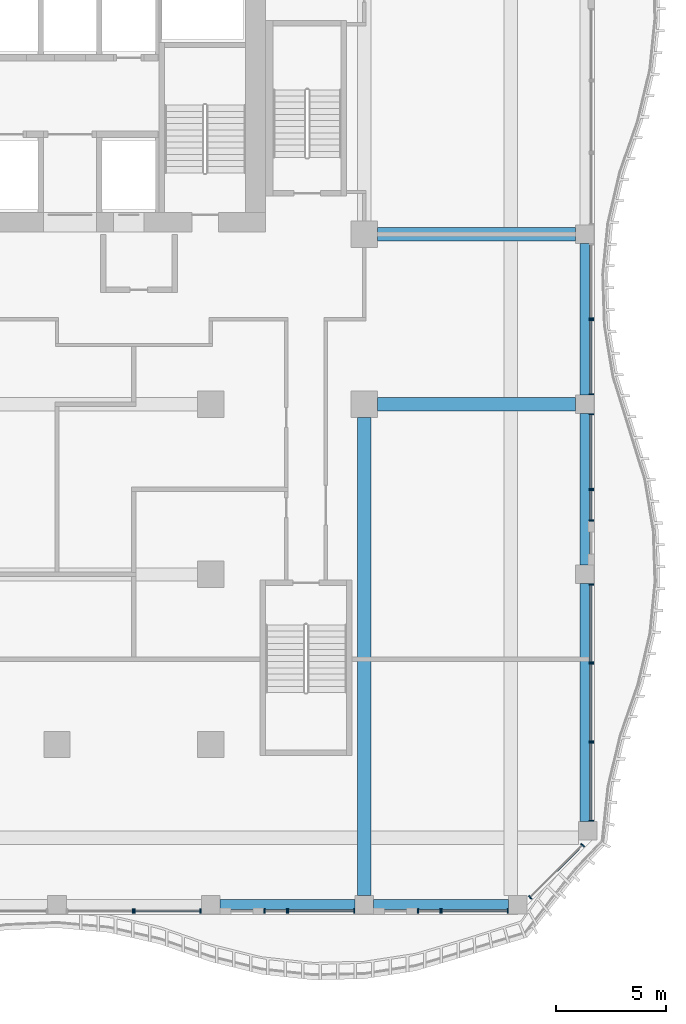
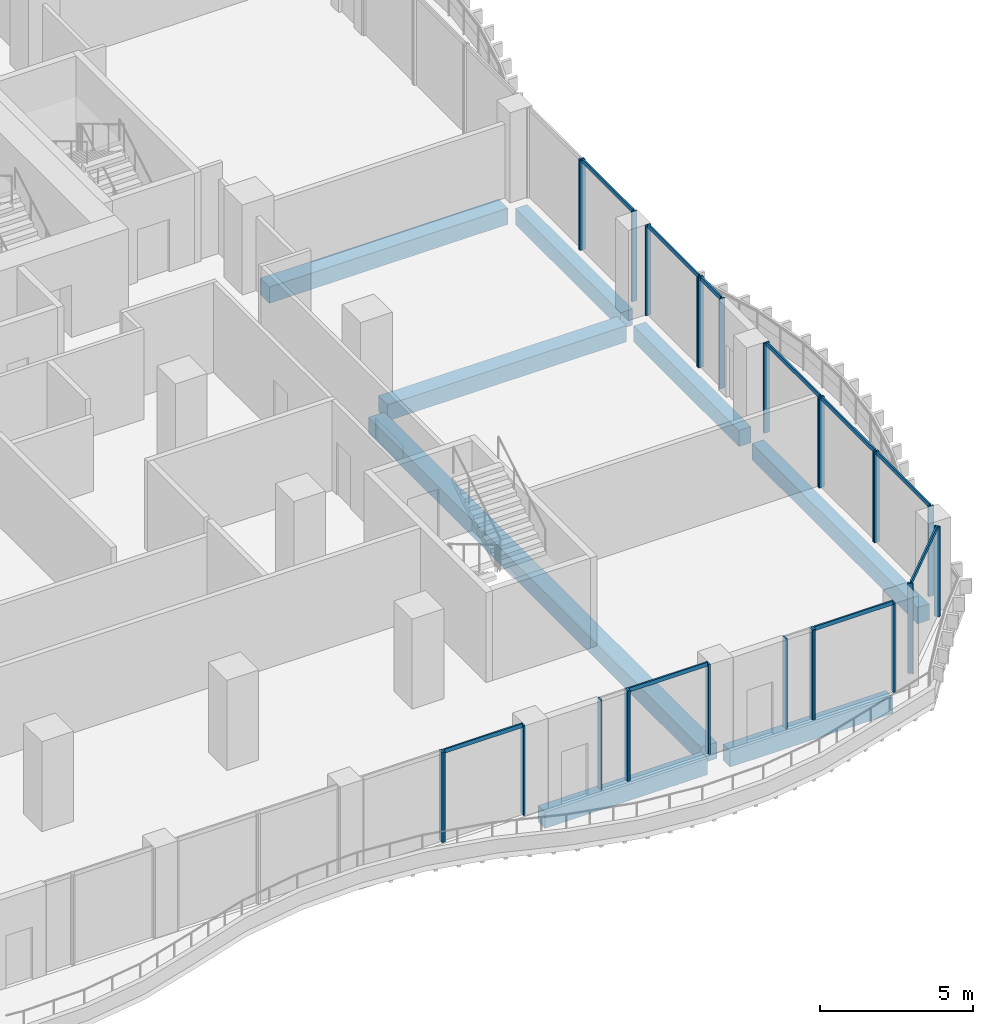
# One storey, part 4 of 19: 36 members, 8 beams, 14 elements without a shape of their own.
"""IFC4 building model written with IfcOpenShell, lengths in metres."""

from ifc_helpers import new_model, si_unit, direction, frame, origin, origin_2d, place, context, subcontext, project, spatial, rectangle, extrude, source, transform, mapped, material, material_profile, profile_set, type_object, element, aggregate, save


model = new_model("IFC4")

# Units and contexts
model_context = context("Model", 3, precision=1e-05, world=origin(), true_north=direction((0.0, 1.0)))
body_context = subcontext(model_context, "Body", "Model", "MODEL_VIEW")
ifc_project = project(units=[si_unit("LENGTHUNIT", "METRE"), si_unit("AREAUNIT", "SQUARE_METRE"), si_unit("VOLUMEUNIT", "CUBIC_METRE"), si_unit("PLANEANGLEUNIT", "RADIAN"), si_unit("MASSUNIT", "GRAM", prefix="KILO")], contexts=[model_context])

# Site, building, storey
site_placement = place(None, origin())
site = spatial("IfcSite", under=ifc_project, at=site_placement, CompositionType="ELEMENT")
building_placement = place(site_placement, origin())
building = spatial("IfcBuilding", under=site, at=building_placement, Name="Kilnfold Tower and Market Hall", CompositionType="ELEMENT")
storey_placement = place(building_placement, frame((0.0, 0.0, 124.60009765625)))
storey = spatial("IfcBuildingStorey", under=building, at=storey_placement, Name="L29", CompositionType="ELEMENT", Elevation=124.60009765625)

# Beams
ifc_material_1 = material(Name="Concrete C45", Category="concrete")
ifc_material_profile_1 = material_profile(ifc_material_1, rectangle(XDim=0.449951171875, YDim=0.64990234375, at=origin_2d()), Name="RC 450x650")
ifc_profile_set_1 = profile_set([ifc_material_profile_1], Name="Concrete C45")
beam_type_1 = type_object("IfcBeamType", Name="EDGE BEAM 450X650 C45", PredefinedType="BEAM", material=ifc_profile_set_1)
shared_shape_1 = source(origin(), body_context, "Body", "SweptSolid", [
    extrude(rectangle(XDim=0.449951171875, YDim=0.64990234375, at=origin_2d()), origin(), (0.0, 0.0, 1.0), 6.14990234375),
])
for number, where, z_axis, x_axis, name in (
    (1, (15.925048828125, -22.550048828125, -0.60498046875), (1.0, 0.0, 0.0), (0.0, 1.0, 0.0), "Beam EB650-B3.57"),
    (2, (22.925048828125, -22.550048828125, -0.60498046875), (1.0, 0.0, 0.0), (0.0, 1.0, 0.0), "Beam EB650-B3.58"),
):
    element("IfcBeam", number, at=place(storey_placement, frame(where, z_axis=z_axis, x_axis=x_axis)), inside=storey, type_object=beam_type_1, Name=name, PredefinedType="BEAM", context=body_context, shape_type="MappedRepresentation", body=[
        mapped(shared_shape_1, transform((0.0, 0.0, 0.0))),
    ])
ifc_material_2 = material(Name="Concrete C45", Category="concrete")
ifc_material_profile_2 = material_profile(ifc_material_2, rectangle(XDim=0.60009765625, YDim=0.64990234375, at=origin_2d()), Name="RC 600x650")
ifc_profile_set_2 = profile_set([ifc_material_profile_2], Name="Concrete C45")
beam_type_2 = type_object("IfcBeamType", Name="BEAM 600X650 C45", PredefinedType="BEAM", material=ifc_profile_set_2)
shared_shape_2 = source(origin(), body_context, "Body", "SweptSolid", [
    extrude(rectangle(XDim=0.60009765625, YDim=0.64990234375, at=origin_2d()), origin(), (0.0, 0.0, 1.0), 9.02490234375),
])
for number, where, z_axis, x_axis, name in (
    (3, (23.10009765625, 0.25, -0.60498046875), (1.0, 0.0, 0.0), (0.0, 1.0, 0.0), "Beam BB650-B3.63"),
    (4, (23.10009765625, 8.0, -0.60498046875), (1.0, 0.0, 0.0), (0.0, 1.0, 0.0), "Beam BB650-B3.64"),
):
    element("IfcBeam", number, at=place(storey_placement, frame(where, z_axis=z_axis, x_axis=x_axis)), inside=storey, type_object=beam_type_2, Name=name, PredefinedType="BEAM", context=body_context, shape_type="MappedRepresentation", body=[
        mapped(shared_shape_2, transform((0.0, 0.0, 0.0))),
    ])
shared_shape_3 = source(origin(), body_context, "Body", "SweptSolid", [
    extrude(rectangle(XDim=0.449951171875, YDim=0.64990234375, at=origin_2d()), origin(), (0.0, 0.0, 1.0), 6.89990234375),
])
for number, where, z_axis, x_axis, name in (
    (5, (32.550048828125, -7.074951171875, -0.60498046875), (0.0, 1.0, 0.0), (-1.0, 0.0, 0.0), "Beam EB650-B3.84"),
    (6, (32.550048828125, 0.675048828125, -0.60498046875), (0.0, 1.0, 0.0), (-1.0, 0.0, 0.0), "Beam EB650-B3.85"),
):
    element("IfcBeam", number, at=place(storey_placement, frame(where, z_axis=z_axis, x_axis=x_axis)), inside=storey, type_object=beam_type_1, Name=name, PredefinedType="BEAM", context=body_context, shape_type="MappedRepresentation", body=[
        mapped(shared_shape_3, transform((0.0, 0.0, 0.0))),
    ])
shared_shape_4 = source(origin(), body_context, "Body", "SweptSolid", [
    extrude(rectangle(XDim=0.60009765625, YDim=0.64990234375, at=origin_2d()), origin(), (0.0, 0.0, 1.0), 21.77490234375),
])
beam_1_placement = place(storey_placement, frame((22.5, -22.125, -0.60498046875), z_axis=(0.0, 1.0, 0.0), x_axis=(-1.0, 0.0, 0.0)))
element("IfcBeam", 7, at=beam_1_placement, inside=storey, type_object=beam_type_2, Name="Beam BB650-B3.80", PredefinedType="BEAM", context=body_context, shape_type="MappedRepresentation", body=[
    mapped(shared_shape_4, transform((0.0, 0.0, 0.0))),
])
shared_shape_5 = source(origin(), body_context, "Body", "SweptSolid", [
    extrude(rectangle(XDim=0.449951171875, YDim=0.64990234375, at=origin_2d()), origin(), (0.0, 0.0, 1.0), 10.831787109375),
])
beam_2_placement = place(storey_placement, frame((32.550048828125, -18.7568359375, -0.60498046875), z_axis=(0.0, 1.0, 0.0), x_axis=(-1.0, 0.0, 0.0)))
element("IfcBeam", 8, at=beam_2_placement, inside=storey, type_object=beam_type_1, Name="Beam EB650-B3.83", PredefinedType="BEAM", context=body_context, shape_type="MappedRepresentation", body=[
    mapped(shared_shape_5, transform((0.0, 0.0, 0.0))),
])

# Curtain wall, member
ifc_material_3 = material(Name="Aluminium and double glazing", Category="aluminium")
curtain_wall_type = type_object("IfcCurtainWallType", Name="CW OF2 VALLEY GLAZING", PredefinedType="NOTDEFINED", material=ifc_material_3)
curtain_wall_1_placement = place(storey_placement, origin())
curtain_wall_1 = element("IfcCurtainWall", 9, at=curtain_wall_1_placement, inside=storey, type_object=curtain_wall_type, Name="Curtain wall CW2 L29 S", PredefinedType="NOTDEFINED")
ifc_material_4 = material(Name="Aluminium", Category="aluminium")
ifc_material_profile_3 = material_profile(ifc_material_4, rectangle(XDim=0.06005859375, YDim=0.159912109375, at=origin_2d()), Name="TRANSOM 60x160")
ifc_profile_set_3 = profile_set([ifc_material_profile_3], Name="Aluminium")
member_type_1 = type_object("IfcMemberType", Name="TRANSOM 60X160", PredefinedType="USERDEFINED", material=ifc_profile_set_3)
shared_shape_6 = source(origin(), body_context, "Body", "SweptSolid", [
    extrude(rectangle(XDim=0.06005859375, YDim=0.159912109375, at=origin_2d()), origin(), (0.0, 0.0, 1.0), 2.954833984375),
])
member_1_placement = place(storey_placement, frame((12.06005859375, -22.85009765625, 3.56982421875), z_axis=(1.0, 0.0, 0.0), x_axis=(0.0, 1.0, 0.0)))
member_1 = element("IfcMember", 10, at=member_1_placement, type_object=member_type_1, Name="CW2 transom 1.2", ObjectType="TRANSOM", PredefinedType="USERDEFINED", context=body_context, shape_type="MappedRepresentation", body=[
    mapped(shared_shape_6, transform((0.0, 0.0, 0.0))),
])

curtain_wall_2_placement = place(storey_placement, origin())
curtain_wall_2 = element("IfcCurtainWall", 11, at=curtain_wall_2_placement, inside=storey, type_object=curtain_wall_type, Name="Curtain wall CW2 L29 S", PredefinedType="NOTDEFINED")
member_2_placement = place(storey_placement, frame((19.06005859375, -22.85009765625, 3.56982421875), z_axis=(1.0, 0.0, 0.0), x_axis=(0.0, 1.0, 0.0)))
member_2 = element("IfcMember", 12, at=member_2_placement, type_object=member_type_1, Name="CW2 transom 1.2", ObjectType="TRANSOM", PredefinedType="USERDEFINED", context=body_context, shape_type="MappedRepresentation", body=[
    mapped(shared_shape_6, transform((0.0, 0.0, 0.0))),
])

curtain_wall_3_placement = place(storey_placement, origin())
curtain_wall_3 = element("IfcCurtainWall", 13, at=curtain_wall_3_placement, inside=storey, type_object=curtain_wall_type, Name="Curtain wall CW2 L29 S", PredefinedType="NOTDEFINED")
member_3_placement = place(storey_placement, frame((26.06005859375, -22.85009765625, 3.56982421875), z_axis=(1.0, 0.0, 0.0), x_axis=(0.0, 1.0, 0.0)))
member_3 = element("IfcMember", 14, at=member_3_placement, type_object=member_type_1, Name="CW2 transom 1.2", ObjectType="TRANSOM", PredefinedType="USERDEFINED", context=body_context, shape_type="MappedRepresentation", body=[
    mapped(shared_shape_6, transform((0.0, 0.0, 0.0))),
])

curtain_wall_4_placement = place(storey_placement, origin())
curtain_wall_4 = element("IfcCurtainWall", 15, at=curtain_wall_4_placement, inside=storey, type_object=curtain_wall_type, Name="Curtain wall CW2 L29 E", PredefinedType="NOTDEFINED")
shared_shape_7 = source(origin(), body_context, "Body", "SweptSolid", [
    extrude(rectangle(XDim=0.06005859375, YDim=0.159912109375, at=origin_2d()), origin(), (0.0, 0.0, 1.0), 3.490478515625),
])
member_4_placement = place(storey_placement, frame((32.85009765625, -18.69677734375, 3.56982421875), z_axis=(0.0, 1.0, 0.0), x_axis=(-1.0, 0.0, 0.0)))
member_4 = element("IfcMember", 16, at=member_4_placement, type_object=member_type_1, Name="CW2 transom 1.2", ObjectType="TRANSOM", PredefinedType="USERDEFINED", context=body_context, shape_type="MappedRepresentation", body=[
    mapped(shared_shape_7, transform((0.0, 0.0, 0.0))),
])

curtain_wall_5_placement = place(storey_placement, origin())
curtain_wall_5 = element("IfcCurtainWall", 17, at=curtain_wall_5_placement, inside=storey, type_object=curtain_wall_type, Name="Curtain wall CW2 L29 E", PredefinedType="NOTDEFINED")
member_5_placement = place(storey_placement, frame((32.85009765625, -15.086181640625, 3.56982421875), z_axis=(0.0, 1.0, 0.0), x_axis=(-1.0, 0.0, 0.0)))
member_5 = element("IfcMember", 18, at=member_5_placement, type_object=member_type_1, Name="CW2 transom 1.2", ObjectType="TRANSOM", PredefinedType="USERDEFINED", context=body_context, shape_type="MappedRepresentation", body=[
    mapped(shared_shape_7, transform((0.0, 0.0, 0.0))),
])

curtain_wall_6_placement = place(storey_placement, origin())
curtain_wall_6 = element("IfcCurtainWall", 19, at=curtain_wall_6_placement, inside=storey, type_object=curtain_wall_type, Name="Curtain wall CW2 L29 E", PredefinedType="NOTDEFINED")
member_6_placement = place(storey_placement, frame((32.85009765625, -11.4755859375, 3.56982421875), z_axis=(0.0, 1.0, 0.0), x_axis=(-1.0, 0.0, 0.0)))
member_6 = element("IfcMember", 20, at=member_6_placement, type_object=member_type_1, Name="CW2 transom 1.2", ObjectType="TRANSOM", PredefinedType="USERDEFINED", context=body_context, shape_type="MappedRepresentation", body=[
    mapped(shared_shape_7, transform((0.0, 0.0, 0.0))),
])

curtain_wall_7_placement = place(storey_placement, origin())
curtain_wall_7 = element("IfcCurtainWall", 21, at=curtain_wall_7_placement, inside=storey, type_object=curtain_wall_type, Name="Curtain wall CW2 L29 E", PredefinedType="NOTDEFINED")
shared_shape_8 = source(origin(), body_context, "Body", "SweptSolid", [
    extrude(rectangle(XDim=0.06005859375, YDim=0.159912109375, at=origin_2d()), origin(), (0.0, 0.0, 1.0), 3.329833984375),
])
member_7_placement = place(storey_placement, frame((32.85009765625, -3.56494140625, 3.56982421875), z_axis=(0.0, 1.0, 0.0), x_axis=(-1.0, 0.0, 0.0)))
member_7 = element("IfcMember", 22, at=member_7_placement, type_object=member_type_1, Name="CW2 transom 1.2", ObjectType="TRANSOM", PredefinedType="USERDEFINED", context=body_context, shape_type="MappedRepresentation", body=[
    mapped(shared_shape_8, transform((0.0, 0.0, 0.0))),
])

curtain_wall_8_placement = place(storey_placement, origin())
curtain_wall_8 = element("IfcCurtainWall", 23, at=curtain_wall_8_placement, inside=storey, type_object=curtain_wall_type, Name="Curtain wall CW2 L29 E", PredefinedType="NOTDEFINED")
member_8_placement = place(storey_placement, frame((32.85009765625, 0.735107421875, 3.56982421875), z_axis=(0.0, 1.0, 0.0), x_axis=(-1.0, 0.0, 0.0)))
member_8 = element("IfcMember", 24, at=member_8_placement, type_object=member_type_1, Name="CW2 transom 1.2", ObjectType="TRANSOM", PredefinedType="USERDEFINED", context=body_context, shape_type="MappedRepresentation", body=[
    mapped(shared_shape_8, transform((0.0, 0.0, 0.0))),
])

curtain_wall_9_placement = place(storey_placement, origin())
curtain_wall_9 = element("IfcCurtainWall", 25, at=curtain_wall_9_placement, inside=storey, type_object=curtain_wall_type, Name="Curtain wall CW2 L29 SE", PredefinedType="NOTDEFINED")
shared_shape_9 = source(origin(), body_context, "Body", "SweptSolid", [
    extrude(rectangle(XDim=0.06005859375, YDim=0.159912109375, at=origin_2d()), origin(), (0.0, 0.0, 1.0), 3.3095703125),
])
member_9_placement = place(storey_placement, frame((30.08642578125, -22.20166015625, 3.56982421875), z_axis=(0.707069896036, 0.707143664413, 0.0), x_axis=(-0.707143664413, 0.707069896036, 0.0)))
member_9 = element("IfcMember", 26, at=member_9_placement, type_object=member_type_1, Name="CW2 transom 1.2", ObjectType="TRANSOM", PredefinedType="USERDEFINED", context=body_context, shape_type="MappedRepresentation", body=[
    mapped(shared_shape_9, transform((0.0, 0.0, 0.0))),
])

curtain_wall_10_placement = place(storey_placement, origin())
curtain_wall_10 = element("IfcCurtainWall", 27, at=curtain_wall_10_placement, inside=storey, type_object=curtain_wall_type, Name="Curtain wall CW2 L29 E", PredefinedType="NOTDEFINED")
shared_shape_10 = source(origin(), body_context, "Body", "SweptSolid", [
    extrude(rectangle(XDim=0.06005859375, YDim=0.159912109375, at=origin_2d()), origin(), (0.0, 0.0, 1.0), 1.329833984375),
])
member_10_placement = place(storey_placement, frame((32.85009765625, -5.014892578125, 3.56982421875), z_axis=(0.0, 1.0, 0.0), x_axis=(-1.0, 0.0, 0.0)))
member_10 = element("IfcMember", 28, at=member_10_placement, type_object=member_type_1, Name="CW2 transom 1.2", ObjectType="TRANSOM", PredefinedType="USERDEFINED", context=body_context, shape_type="MappedRepresentation", body=[
    mapped(shared_shape_10, transform((0.0, 0.0, 0.0))),
])

curtain_wall_11_placement = place(storey_placement, origin())
curtain_wall_11 = element("IfcCurtainWall", 29, at=curtain_wall_11_placement, inside=storey, type_object=curtain_wall_type, Name="Curtain wall CW2 L29 S", PredefinedType="NOTDEFINED")
ifc_material_5 = material(Name="Aluminium", Category="aluminium")
ifc_material_profile_4 = material_profile(ifc_material_5, rectangle(XDim=0.06005859375, YDim=0.199951171875, at=origin_2d()), Name="MULLION 60x200")
ifc_profile_set_4 = profile_set([ifc_material_profile_4], Name="Aluminium")
member_type_2 = type_object("IfcMemberType", Name="MULLION 60X200", PredefinedType="MULLION", material=ifc_profile_set_4)
shared_shape_11 = source(origin(), body_context, "Body", "SweptSolid", [
    extrude(rectangle(XDim=0.06005859375, YDim=0.199951171875, at=origin_2d()), origin(), (0.0, 0.0, 1.0), 3.599853515625),
])
member_11_placement = place(storey_placement, frame((11.969970703125, -22.85009765625, 0.0), z_axis=(0.0, 0.0, 1.0), x_axis=(1.0, 0.0, 0.0)))
member_11 = element("IfcMember", 30, at=member_11_placement, type_object=member_type_2, Name="CW2 mullion 2", PredefinedType="MULLION", context=body_context, shape_type="MappedRepresentation", body=[
    mapped(shared_shape_11, transform((0.0, 0.0, 0.0))),
])
aggregate(curtain_wall_11, [member_11])

# Member
member_12_placement = place(storey_placement, frame((12.030029296875, -22.85009765625, 0.0), z_axis=(0.0, 0.0, 1.0), x_axis=(1.0, 0.0, 0.0)))
member_12 = element("IfcMember", 31, at=member_12_placement, type_object=member_type_2, Name="CW2 mullion 1", PredefinedType="MULLION", context=body_context, shape_type="MappedRepresentation", body=[
    mapped(shared_shape_11, transform((0.0, 0.0, 0.0))),
])

member_13_placement = place(storey_placement, frame((15.044921875, -22.85009765625, 0.0), z_axis=(0.0, 0.0, 1.0), x_axis=(1.0, 0.0, 0.0)))
member_13 = element("IfcMember", 32, at=member_13_placement, type_object=member_type_2, Name="CW2 mullion 2", PredefinedType="MULLION", context=body_context, shape_type="MappedRepresentation", body=[
    mapped(shared_shape_11, transform((0.0, 0.0, 0.0))),
])

aggregate(curtain_wall_1, [member_12, member_13, member_1])

# Curtain wall, members
curtain_wall_12_placement = place(storey_placement, origin())
curtain_wall_12 = element("IfcCurtainWall", 33, at=curtain_wall_12_placement, inside=storey, type_object=curtain_wall_type, Name="Curtain wall CW2 L29 S", PredefinedType="NOTDEFINED")
member_14_placement = place(storey_placement, frame((17.955078125, -22.85009765625, 0.0), z_axis=(0.0, 0.0, 1.0), x_axis=(1.0, 0.0, 0.0)))
member_14 = element("IfcMember", 34, at=member_14_placement, type_object=member_type_2, Name="CW2 mullion 1", PredefinedType="MULLION", context=body_context, shape_type="MappedRepresentation", body=[
    mapped(shared_shape_11, transform((0.0, 0.0, 0.0))),
])
member_15_placement = place(storey_placement, frame((18.969970703125, -22.85009765625, 0.0), z_axis=(0.0, 0.0, 1.0), x_axis=(1.0, 0.0, 0.0)))
member_15 = element("IfcMember", 35, at=member_15_placement, type_object=member_type_2, Name="CW2 mullion 2", PredefinedType="MULLION", context=body_context, shape_type="MappedRepresentation", body=[
    mapped(shared_shape_11, transform((0.0, 0.0, 0.0))),
])
aggregate(curtain_wall_12, [member_14, member_15])

# Member
member_16_placement = place(storey_placement, frame((19.030029296875, -22.85009765625, 0.0), z_axis=(0.0, 0.0, 1.0), x_axis=(1.0, 0.0, 0.0)))
member_16 = element("IfcMember", 36, at=member_16_placement, type_object=member_type_2, Name="CW2 mullion 1", PredefinedType="MULLION", context=body_context, shape_type="MappedRepresentation", body=[
    mapped(shared_shape_11, transform((0.0, 0.0, 0.0))),
])

member_17_placement = place(storey_placement, frame((22.044921875, -22.85009765625, 0.0), z_axis=(0.0, 0.0, 1.0), x_axis=(1.0, 0.0, 0.0)))
member_17 = element("IfcMember", 37, at=member_17_placement, type_object=member_type_2, Name="CW2 mullion 2", PredefinedType="MULLION", context=body_context, shape_type="MappedRepresentation", body=[
    mapped(shared_shape_11, transform((0.0, 0.0, 0.0))),
])

aggregate(curtain_wall_2, [member_16, member_17, member_2])

# Curtain wall, members
curtain_wall_13_placement = place(storey_placement, origin())
curtain_wall_13 = element("IfcCurtainWall", 38, at=curtain_wall_13_placement, inside=storey, type_object=curtain_wall_type, Name="Curtain wall CW2 L29 S", PredefinedType="NOTDEFINED")
member_18_placement = place(storey_placement, frame((24.955078125, -22.85009765625, 0.0), z_axis=(0.0, 0.0, 1.0), x_axis=(1.0, 0.0, 0.0)))
member_18 = element("IfcMember", 39, at=member_18_placement, type_object=member_type_2, Name="CW2 mullion 1", PredefinedType="MULLION", context=body_context, shape_type="MappedRepresentation", body=[
    mapped(shared_shape_11, transform((0.0, 0.0, 0.0))),
])
member_19_placement = place(storey_placement, frame((25.969970703125, -22.85009765625, 0.0), z_axis=(0.0, 0.0, 1.0), x_axis=(1.0, 0.0, 0.0)))
member_19 = element("IfcMember", 40, at=member_19_placement, type_object=member_type_2, Name="CW2 mullion 2", PredefinedType="MULLION", context=body_context, shape_type="MappedRepresentation", body=[
    mapped(shared_shape_11, transform((0.0, 0.0, 0.0))),
])
aggregate(curtain_wall_13, [member_18, member_19])

# Member
member_20_placement = place(storey_placement, frame((26.030029296875, -22.85009765625, 0.0), z_axis=(0.0, 0.0, 1.0), x_axis=(1.0, 0.0, 0.0)))
member_20 = element("IfcMember", 41, at=member_20_placement, type_object=member_type_2, Name="CW2 mullion 1", PredefinedType="MULLION", context=body_context, shape_type="MappedRepresentation", body=[
    mapped(shared_shape_11, transform((0.0, 0.0, 0.0))),
])

member_21_placement = place(storey_placement, frame((29.044921875, -22.85009765625, 0.0), z_axis=(0.0, 0.0, 1.0), x_axis=(1.0, 0.0, 0.0)))
member_21 = element("IfcMember", 42, at=member_21_placement, type_object=member_type_2, Name="CW2 mullion 2", PredefinedType="MULLION", context=body_context, shape_type="MappedRepresentation", body=[
    mapped(shared_shape_11, transform((0.0, 0.0, 0.0))),
])

aggregate(curtain_wall_3, [member_20, member_21, member_3])

member_22_placement = place(storey_placement, frame((30.065185546875, -22.222900390625, 0.0), z_axis=(0.0, 0.0, 1.0), x_axis=(0.707092201815, 0.707121360258, 0.0)))
member_22 = element("IfcMember", 43, at=member_22_placement, type_object=member_type_2, Name="CW2 mullion 1", PredefinedType="MULLION", context=body_context, shape_type="MappedRepresentation", body=[
    mapped(shared_shape_11, transform((0.0, 0.0, 0.0))),
])

member_23_placement = place(storey_placement, frame((32.44775390625, -19.840087890625, 0.0), z_axis=(0.0, 0.0, 1.0), x_axis=(0.707092201815, 0.707121360258, 0.0)))
member_23 = element("IfcMember", 44, at=member_23_placement, type_object=member_type_2, Name="CW2 mullion 2", PredefinedType="MULLION", context=body_context, shape_type="MappedRepresentation", body=[
    mapped(shared_shape_11, transform((0.0, 0.0, 0.0))),
])

aggregate(curtain_wall_9, [member_22, member_23, member_9])

member_24_placement = place(storey_placement, frame((32.85009765625, -18.726806640625, 0.0), z_axis=(0.0, 0.0, 1.0), x_axis=(0.0, 1.0, 0.0)))
member_24 = element("IfcMember", 45, at=member_24_placement, type_object=member_type_2, Name="CW2 mullion 1", PredefinedType="MULLION", context=body_context, shape_type="MappedRepresentation", body=[
    mapped(shared_shape_11, transform((0.0, 0.0, 0.0))),
])

member_25_placement = place(storey_placement, frame((32.85009765625, -15.17626953125, 0.0), z_axis=(0.0, 0.0, 1.0), x_axis=(0.0, 1.0, 0.0)))
member_25 = element("IfcMember", 46, at=member_25_placement, type_object=member_type_2, Name="CW2 mullion 2", PredefinedType="MULLION", context=body_context, shape_type="MappedRepresentation", body=[
    mapped(shared_shape_11, transform((0.0, 0.0, 0.0))),
])

aggregate(curtain_wall_4, [member_24, member_25, member_4])

member_26_placement = place(storey_placement, frame((32.85009765625, -15.1162109375, 0.0), z_axis=(0.0, 0.0, 1.0), x_axis=(0.0, 1.0, 0.0)))
member_26 = element("IfcMember", 47, at=member_26_placement, type_object=member_type_2, Name="CW2 mullion 1", PredefinedType="MULLION", context=body_context, shape_type="MappedRepresentation", body=[
    mapped(shared_shape_11, transform((0.0, 0.0, 0.0))),
])

member_27_placement = place(storey_placement, frame((32.85009765625, -11.565673828125, 0.0), z_axis=(0.0, 0.0, 1.0), x_axis=(0.0, 1.0, 0.0)))
member_27 = element("IfcMember", 48, at=member_27_placement, type_object=member_type_2, Name="CW2 mullion 2", PredefinedType="MULLION", context=body_context, shape_type="MappedRepresentation", body=[
    mapped(shared_shape_11, transform((0.0, 0.0, 0.0))),
])

aggregate(curtain_wall_5, [member_26, member_27, member_5])

member_28_placement = place(storey_placement, frame((32.85009765625, -11.505615234375, 0.0), z_axis=(0.0, 0.0, 1.0), x_axis=(0.0, 1.0, 0.0)))
member_28 = element("IfcMember", 49, at=member_28_placement, type_object=member_type_2, Name="CW2 mullion 1", PredefinedType="MULLION", context=body_context, shape_type="MappedRepresentation", body=[
    mapped(shared_shape_11, transform((0.0, 0.0, 0.0))),
])

member_29_placement = place(storey_placement, frame((32.85009765625, -7.955078125, 0.0), z_axis=(0.0, 0.0, 1.0), x_axis=(0.0, 1.0, 0.0)))
member_29 = element("IfcMember", 50, at=member_29_placement, type_object=member_type_2, Name="CW2 mullion 2", PredefinedType="MULLION", context=body_context, shape_type="MappedRepresentation", body=[
    mapped(shared_shape_11, transform((0.0, 0.0, 0.0))),
])

aggregate(curtain_wall_6, [member_28, member_29, member_6])

member_30_placement = place(storey_placement, frame((32.85009765625, -5.044921875, 0.0), z_axis=(0.0, 0.0, 1.0), x_axis=(0.0, 1.0, 0.0)))
member_30 = element("IfcMember", 51, at=member_30_placement, type_object=member_type_2, Name="CW2 mullion 1", PredefinedType="MULLION", context=body_context, shape_type="MappedRepresentation", body=[
    mapped(shared_shape_11, transform((0.0, 0.0, 0.0))),
])

member_31_placement = place(storey_placement, frame((32.85009765625, -3.655029296875, 0.0), z_axis=(0.0, 0.0, 1.0), x_axis=(0.0, 1.0, 0.0)))
member_31 = element("IfcMember", 52, at=member_31_placement, type_object=member_type_2, Name="CW2 mullion 2", PredefinedType="MULLION", context=body_context, shape_type="MappedRepresentation", body=[
    mapped(shared_shape_11, transform((0.0, 0.0, 0.0))),
])

aggregate(curtain_wall_10, [member_30, member_31, member_10])

member_32_placement = place(storey_placement, frame((32.85009765625, -3.594970703125, 0.0), z_axis=(0.0, 0.0, 1.0), x_axis=(0.0, 1.0, 0.0)))
member_32 = element("IfcMember", 53, at=member_32_placement, type_object=member_type_2, Name="CW2 mullion 1", PredefinedType="MULLION", context=body_context, shape_type="MappedRepresentation", body=[
    mapped(shared_shape_11, transform((0.0, 0.0, 0.0))),
])

member_33_placement = place(storey_placement, frame((32.85009765625, -0.205078125, 0.0), z_axis=(0.0, 0.0, 1.0), x_axis=(0.0, 1.0, 0.0)))
member_33 = element("IfcMember", 54, at=member_33_placement, type_object=member_type_2, Name="CW2 mullion 2", PredefinedType="MULLION", context=body_context, shape_type="MappedRepresentation", body=[
    mapped(shared_shape_11, transform((0.0, 0.0, 0.0))),
])

aggregate(curtain_wall_7, [member_32, member_33, member_7])

member_34_placement = place(storey_placement, frame((32.85009765625, 0.705078125, 0.0), z_axis=(0.0, 0.0, 1.0), x_axis=(0.0, 1.0, 0.0)))
member_34 = element("IfcMember", 55, at=member_34_placement, type_object=member_type_2, Name="CW2 mullion 1", PredefinedType="MULLION", context=body_context, shape_type="MappedRepresentation", body=[
    mapped(shared_shape_11, transform((0.0, 0.0, 0.0))),
])

member_35_placement = place(storey_placement, frame((32.85009765625, 4.094970703125, 0.0), z_axis=(0.0, 0.0, 1.0), x_axis=(0.0, 1.0, 0.0)))
member_35 = element("IfcMember", 56, at=member_35_placement, type_object=member_type_2, Name="CW2 mullion 2", PredefinedType="MULLION", context=body_context, shape_type="MappedRepresentation", body=[
    mapped(shared_shape_11, transform((0.0, 0.0, 0.0))),
])

aggregate(curtain_wall_8, [member_34, member_35, member_8])

# Curtain wall, member
curtain_wall_14_placement = place(storey_placement, origin())
curtain_wall_14 = element("IfcCurtainWall", 57, at=curtain_wall_14_placement, inside=storey, type_object=curtain_wall_type, Name="Curtain wall CW2 L29 E", PredefinedType="NOTDEFINED")
member_36_placement = place(storey_placement, frame((32.85009765625, 4.155029296875, 0.0), z_axis=(0.0, 0.0, 1.0), x_axis=(0.0, 1.0, 0.0)))
member_36 = element("IfcMember", 58, at=member_36_placement, type_object=member_type_2, Name="CW2 mullion 1", PredefinedType="MULLION", context=body_context, shape_type="MappedRepresentation", body=[
    mapped(shared_shape_11, transform((0.0, 0.0, 0.0))),
])
aggregate(curtain_wall_14, [member_36])

save(model, "model.ifc")
